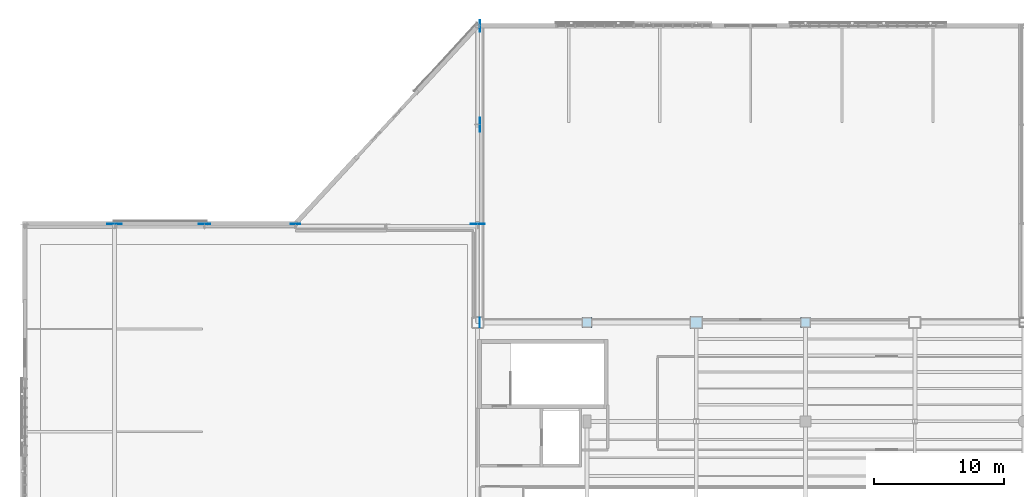
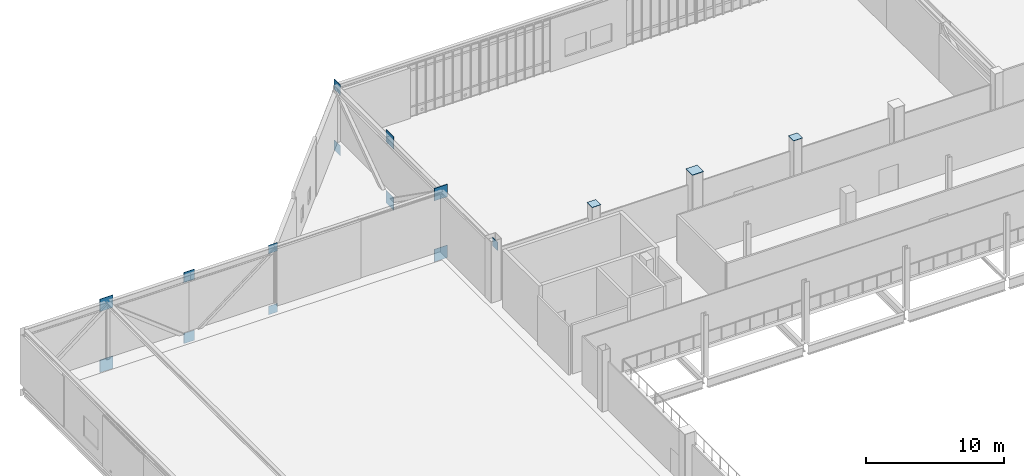
# One storey, part 80 of 135: 16 plates.
"""IFC4 building model written with IfcOpenShell, lengths in metres."""

import ifcopenshell
import ifcopenshell.guid

model = None  # the IFC model being written
_history = None  # IfcOwnerHistory: only IFC2X3 demands one
_inside = {}  # id of a spatial element -> (the spatial element, [elements in it])
_under = {}  # id of a project, library or spatial element -> (it, [spatial elements below it])
_declared = {}  # id of a project -> (the project, [libraries it declares])
_typed = {}  # id of a type object -> (the type object, [elements of that type])
_made_of = {}  # id of a material, layer set ... -> (it, [elements and type objects made of it])


def new_model(schema):
    """Start an empty IFC model of exactly this schema.

    Asked for "IFC4X3", IfcOpenShell would pick the latest addendum, in which some entities
    have other attributes; the version numbers below select the first issue.
    IFC2X3 requires an IfcOwnerHistory on every rooted entity: one is made here for all.
    """
    global model, _history
    if schema == "IFC4X3":
        model = ifcopenshell.file(schema_version=(4, 3, 0, 0))
    else:
        model = ifcopenshell.file(schema=schema)
    _inside.clear()
    _under.clear()
    _declared.clear()
    _typed.clear()
    _made_of.clear()
    _history = None
    if model.schema == "IFC2X3":
        org = make("IfcOrganization", Name="unknown")
        user = make(
            "IfcPersonAndOrganization",
            ThePerson=make("IfcPerson", FamilyName="unknown"),
            TheOrganization=org,
        )
        app = make(
            "IfcApplication",
            ApplicationDeveloper=org,
            Version="unknown",
            ApplicationFullName="unknown",
            ApplicationIdentifier="unknown",
        )
        _history = make(
            "IfcOwnerHistory",
            OwningUser=user,
            OwningApplication=app,
            ChangeAction="ADDED",
            CreationDate=0,
        )
    return model


def make(cls, **values):
    """One entity of the class cls with the attributes given. An attribute that is None is left unset."""
    return model.create_entity(
        cls, **{name: value for name, value in values.items() if value is not None}
    )


def rooted(cls, **values):
    """An entity with a GlobalId (a new one), such as an element, a storey or a relation."""
    return make(cls, GlobalId=ifcopenshell.guid.new(), OwnerHistory=_history, **values)


def si_unit(unit_type, name, prefix=None):
    """IfcSIUnit, for example si_unit("LENGTHUNIT", "METRE", prefix="MILLI")."""
    return make("IfcSIUnit", UnitType=unit_type, Prefix=prefix, Name=name)


def assignment(units):
    """IfcUnitAssignment: the units of a project."""
    return None if units is None else make("IfcUnitAssignment", Units=units)


def point(xyz):
    """IfcCartesianPoint."""
    return None if xyz is None else make("IfcCartesianPoint", Coordinates=xyz)


def direction(xyz):
    """IfcDirection."""
    return None if xyz is None else make("IfcDirection", DirectionRatios=xyz)


def frame(location, z_axis=None, x_axis=None):
    """IfcAxis2Placement3D, a coordinate frame: its origin and axes. An axis left out is left unset."""
    return make(
        "IfcAxis2Placement3D",
        Location=point(location),
        Axis=direction(z_axis),
        RefDirection=direction(x_axis),
    )


def frame_2d(location, x_axis=None):
    """IfcAxis2Placement2D, a coordinate frame in the plane: its origin and x axis."""
    return make(
        "IfcAxis2Placement2D", Location=point(location), RefDirection=direction(x_axis)
    )


def origin():
    """The frame at (0, 0, 0) with its axes left unset."""
    return frame((0.0, 0.0, 0.0))


def origin_2d():
    """The frame at (0, 0) in the plane with its x axis left unset."""
    return frame_2d((0.0, 0.0))


def place(relative_to, where):
    """IfcLocalPlacement: puts the frame where relative to a parent placement (None: the world)."""
    return make(
        "IfcLocalPlacement", PlacementRelTo=relative_to, RelativePlacement=where
    )


def context(
    kind, dimensions, precision=None, world=None, true_north=None, identifier=None
):
    """IfcGeometricRepresentationContext, for example the 3D "Model" context."""
    return make(
        "IfcGeometricRepresentationContext",
        ContextIdentifier=identifier,
        ContextType=kind,
        CoordinateSpaceDimension=dimensions,
        Precision=precision,
        WorldCoordinateSystem=world,
        TrueNorth=true_north,
    )


def subcontext(parent, identifier, kind, view, scale=None):
    """IfcGeometricRepresentationSubContext, for example "Body" below "Model"."""
    return make(
        "IfcGeometricRepresentationSubContext",
        ContextIdentifier=identifier,
        ContextType=kind,
        ParentContext=parent,
        TargetScale=scale,
        TargetView=view,
    )


def project(units=None, contexts=None):
    """IfcProject with its units and contexts."""
    return rooted(
        "IfcProject",
        Name="project",
        RepresentationContexts=contexts,
        UnitsInContext=assignment(units),
    )


def spatial(cls, under=None, at=None, **own):
    """A site, building, storey or space (cls), placed at a placement, below another one or the project."""
    s = rooted(cls, ObjectPlacement=at, **own)
    if under is not None:
        _under.setdefault(under.id(), (under, []))[1].append(s)
    return s


def profile(cls, at=None, kind="AREA", **sizes):
    """A parametric profile (cls). Its sizes go by their IFC names, for example OverallWidth=200.0."""
    return make(cls, ProfileType=kind, Position=at, **sizes)


def rectangle(**sizes):
    """IfcRectangleProfileDef."""
    return profile("IfcRectangleProfileDef", **sizes)


def extrude(swept, where, along, depth):
    """IfcExtrudedAreaSolid: the profile swept, set in the frame where, extruded along a direction by depth."""
    return make(
        "IfcExtrudedAreaSolid",
        SweptArea=swept,
        Position=where,
        ExtrudedDirection=direction(along),
        Depth=depth,
    )


def shape(context_of_items, identifier, shape_type, items):
    """IfcShapeRepresentation: the items that make up one representation, for example the "Body"."""
    return make(
        "IfcShapeRepresentation",
        ContextOfItems=context_of_items,
        RepresentationIdentifier=identifier,
        RepresentationType=shape_type,
        Items=items,
    )


def material(Name=None, Category=None):
    """IfcMaterial."""
    return make("IfcMaterial", Name=Name, Category=Category)


def layer(
    of_material, thickness, ventilated=None, Name=None, Category=None, Priority=None
):
    """IfcMaterialLayer: one layer of a wall or slab, of a material (None: an air gap)."""
    return make(
        "IfcMaterialLayer",
        Material=of_material,
        LayerThickness=thickness,
        IsVentilated=ventilated,
        Name=Name,
        Category=Category,
        Priority=Priority,
    )


def layer_set(layers, Name=None):
    """IfcMaterialLayerSet."""
    return make("IfcMaterialLayerSet", MaterialLayers=layers, LayerSetName=Name)


def made_of(thing, what):
    """Note that an element or type object is made of a material, layer set ...; save() writes the relation."""
    if what is not None:
        _made_of.setdefault(what.id(), (what, []))[1].append(thing)
    return thing


def type_object(cls, material=None, **own):
    """A type object (cls), such as IfcWallType, which elements share."""
    return made_of(rooted(cls, **own), material)


def element(
    cls,
    number,
    at=None,
    inside=None,
    cuts=None,
    type_object=None,
    material=None,
    context=None,
    identifier="Body",
    shape_type=None,
    held_by="IfcProductDefinitionShape",
    body=None,
    shapes=None,
    **own,
):
    """One element of the class cls, such as IfcWall. Its Tag is "e" and its number.

    at: its placement. inside: the storey or other place that contains it. cuts: it is an
    opening in that element (IfcRelVoidsElement). A single representation is given by context,
    identifier, shape_type and body (its items); several are given by shapes. held_by: the class
    of the entity that holds the representations. save() writes the other relations.
    """
    e = rooted(cls, Tag="e%d" % number, ObjectPlacement=at, **own)
    if body is not None:
        shapes = [shape(context, identifier, shape_type, body)]
    if shapes is not None:
        e.Representation = make(held_by, Representations=shapes)
    if inside is not None:
        _inside.setdefault(inside.id(), (inside, []))[1].append(e)
    if cuts is not None:
        rooted(
            "IfcRelVoidsElement", RelatingBuildingElement=cuts, RelatedOpeningElement=e
        )
    if type_object is not None:
        _typed.setdefault(type_object.id(), (type_object, []))[1].append(e)
    return made_of(e, material)


def aggregate(whole, parts):
    """IfcRelAggregates: a whole, such as a stair, and the parts it consists of."""
    return rooted("IfcRelAggregates", RelatingObject=whole, RelatedObjects=parts)


def save(model, path):
    """Write the relations noted so far, then the file.

    IfcRelAggregates (storeys below a building ...), IfcRelContainedInSpatialStructure (elements
    in a storey), IfcRelDefinesByType, IfcRelAssociatesMaterial and IfcRelDeclares: one each for
    every whole, place, type object, material and project.
    """
    for whole, parts in _under.values():
        aggregate(whole, parts)
    for where, things in _inside.values():
        rooted(
            "IfcRelContainedInSpatialStructure",
            RelatedElements=things,
            RelatingStructure=where,
        )
    for kind, things in _typed.values():
        rooted("IfcRelDefinesByType", RelatedObjects=things, RelatingType=kind)
    for what, things in _made_of.values():
        rooted("IfcRelAssociatesMaterial", RelatedObjects=things, RelatingMaterial=what)
    for by, libraries in _declared.values():
        rooted("IfcRelDeclares", RelatingContext=by, RelatedDefinitions=libraries)
    model.write(path)


model = new_model("IFC4")

# Units and contexts
model_context = context("Model", 3, precision=1e-05, world=origin(), true_north=direction((0.0, 1.0)))
body_context = subcontext(model_context, "Body", "Model", "MODEL_VIEW")
ifc_project = project(units=[si_unit("LENGTHUNIT", "METRE"), si_unit("AREAUNIT", "SQUARE_METRE"), si_unit("VOLUMEUNIT", "CUBIC_METRE"), si_unit("PLANEANGLEUNIT", "RADIAN"), si_unit("MASSUNIT", "GRAM", prefix="KILO")], contexts=[model_context])

# Site, building, storey
site_placement = place(None, origin())
site = spatial("IfcSite", under=ifc_project, at=site_placement, CompositionType="ELEMENT")
building_placement = place(site_placement, origin())
building = spatial("IfcBuilding", under=site, at=building_placement, Name="Larkvane Passage Sports Hall", CompositionType="ELEMENT")
storey_placement = place(building_placement, frame((0.0, 0.0, 16.800048828125)))
storey = spatial("IfcBuildingStorey", under=building, at=storey_placement, Name="L03", CompositionType="ELEMENT", Elevation=16.800048828125)

# Plates
ifc_material = material(Name="Steel S460N", Category="steel")
ifc_layer_1 = layer(ifc_material, 0.028076171875)
ifc_layer_set_1 = layer_set([ifc_layer_1], Name="Steel S460N")
plate_type_1 = type_object("IfcPlateType", Name="PLT-CAP-28", PredefinedType="SHEET", material=ifc_layer_set_1)
for number, where, z_axis, x_axis, name in (
    (1, (43.199951171875, 91.60009765625, 5.39990234375), (0.0, 0.0, 1.0), (1.0, 0.0, 0.0), "Hollow section sealed end cap plate 0007"),
    (2, (60.0, 91.60009765625, 5.39990234375), (0.0, 0.0, 1.0), (1.0, 0.0, 0.0), "Hollow section sealed end cap plate 0011"),
):
    element("IfcPlate", number, at=place(storey_placement, frame(where, z_axis=z_axis, x_axis=x_axis)), inside=storey, type_object=plate_type_1, Name=name, PredefinedType="SHEET", context=body_context, shape_type="SweptSolid", body=[
        extrude(rectangle(XDim=0.739990234375, YDim=0.739990234375, at=origin_2d()), origin(), (0.0, 0.0, 1.0), 0.028076171875),
    ])
ifc_layer_2 = layer(ifc_material, 0.035888671875)
ifc_layer_set_2 = layer_set([ifc_layer_2], Name="Steel S460N")
plate_type_2 = type_object("IfcPlateType", Name="PLT-CAP-36", PredefinedType="SHEET", material=ifc_layer_set_2)
plate_placement = place(storey_placement, frame((51.60009765625, 91.60009765625, 5.39990234375), z_axis=(0.0, 0.0, 1.0), x_axis=(1.0, 0.0, 0.0)))
element("IfcPlate", 3, at=plate_placement, inside=storey, type_object=plate_type_2, Name="Hollow section sealed end cap plate 0010", PredefinedType="SHEET", context=body_context, shape_type="SweptSolid", body=[
    extrude(rectangle(XDim=0.93994140625, YDim=0.93994140625, at=origin_2d()), origin(), (0.0, 0.0, 1.0), 0.035888671875),
])
ifc_layer_3 = layer(ifc_material, 0.02392578125)
ifc_layer_set_3 = layer_set([ifc_layer_3], Name="Steel S460N")
plate_type_3 = type_object("IfcPlateType", Name="PLT-GUS-24", PredefinedType="USERDEFINED", material=ifc_layer_set_3)
for number, where, z_axis, x_axis, name in (
    (4, (20.800048828125, 99.162109375, -0.989013671875), (0.0, 0.0, 1.0), (1.0, 0.0, 0.0), "Truss node gusset plate ND-4B (CT-W3A-2)"),
    (5, (20.800048828125, 99.162109375, 4.380859375), (0.0, 0.0, 1.0), (1.0, 0.0, 0.0), "Truss node gusset plate ND-4T (CT-W3A-2)"),
    (6, (34.9619140625, 91.60009765625, 4.380859375), (0.0, 0.0, 1.0), (0.0, 1.0, 0.0), "Truss node gusset plate ND-1T (CT-N3A-1)"),
):
    element("IfcPlate", number, at=place(storey_placement, frame(where, z_axis=z_axis, x_axis=x_axis)), inside=storey, type_object=plate_type_3, Name=name, ObjectType="GUSSET PLATE", PredefinedType="USERDEFINED", context=body_context, shape_type="SweptSolid", body=[
        extrude(rectangle(XDim=0.75, YDim=0.02392578125, at=origin_2d()), origin(), (0.0, 0.0, 1.0), 0.75),
    ])
ifc_layer_4 = layer(ifc_material, 0.031982421875)
ifc_layer_set_4 = layer_set([ifc_layer_4], Name="Steel S460N")
plate_type_4 = type_object("IfcPlateType", Name="PLT-GUS-32", PredefinedType="USERDEFINED", material=ifc_layer_set_4)
for number, where, z_axis, x_axis, name in (
    (7, (13.800048828125, 99.166015625, -1.06396484375), (0.0, 0.0, 1.0), (1.0, 0.0, 0.0), "Truss node gusset plate ND-3B (CT-W3A-2)"),
    (8, (13.800048828125, 99.166015625, 4.305908203125), (0.0, 0.0, 1.0), (1.0, 0.0, 0.0), "Truss node gusset plate ND-3T (CT-W3A-2)"),
    (9, (34.966064453125, 114.39990234375, -1.06396484375), (0.0, 0.0, 1.0), (0.0, 1.0, 0.0), "Truss node gusset plate ND-4B (CT-N3A-1)"),
    (10, (34.966064453125, 114.39990234375, 4.305908203125), (0.0, 0.0, 1.0), (0.0, 1.0, 0.0), "Truss node gusset plate ND-4T (CT-N3A-1)"),
):
    element("IfcPlate", number, at=place(storey_placement, frame(where, z_axis=z_axis, x_axis=x_axis)), inside=storey, type_object=plate_type_4, Name=name, ObjectType="GUSSET PLATE", PredefinedType="USERDEFINED", context=body_context, shape_type="SweptSolid", body=[
        extrude(rectangle(XDim=0.89990234375, YDim=0.031982421875, at=origin_2d()), origin(), (0.0, 0.0, 1.0), 0.89990234375),
    ])
ifc_layer_5 = layer(ifc_material, 0.0400390625)
ifc_layer_set_5 = layer_set([ifc_layer_5], Name="Steel S460N")
plate_type_5 = type_object("IfcPlateType", Name="PLT-GUS-40", PredefinedType="USERDEFINED", material=ifc_layer_set_5)
for number, where, z_axis, x_axis, name in (
    (11, (6.89990234375, 99.169921875, -1.1640625), (0.0, 0.0, 1.0), (1.0, 0.0, 0.0), "Truss node gusset plate ND-2B (CT-W3A-2)"),
    (12, (6.89990234375, 99.169921875, 4.205810546875), (0.0, 0.0, 1.0), (1.0, 0.0, 0.0), "Truss node gusset plate ND-2T (CT-W3A-2)"),
    (13, (34.800048828125, 99.169921875, -1.1640625), (0.0, 0.0, 1.0), (1.0, 0.0, 0.0), "Truss node gusset plate ND-6B (CT-W3A-2)"),
    (14, (34.800048828125, 99.169921875, 4.205810546875), (0.0, 0.0, 1.0), (1.0, 0.0, 0.0), "Truss node gusset plate ND-6T (CT-W3A-2)"),
    (15, (34.969970703125, 106.800048828125, -1.1640625), (0.0, 0.0, 1.0), (0.0, 1.0, 0.0), "Truss node gusset plate ND-3B (CT-N3A-1)"),
    (16, (34.969970703125, 106.800048828125, 4.205810546875), (0.0, 0.0, 1.0), (0.0, 1.0, 0.0), "Truss node gusset plate ND-3T (CT-N3A-1)"),
):
    element("IfcPlate", number, at=place(storey_placement, frame(where, z_axis=z_axis, x_axis=x_axis)), inside=storey, type_object=plate_type_5, Name=name, ObjectType="GUSSET PLATE", PredefinedType="USERDEFINED", context=body_context, shape_type="SweptSolid", body=[
        extrude(rectangle(XDim=1.10009765625, YDim=0.0400390625, at=origin_2d()), origin(), (0.0, 0.0, 1.0), 1.10009765625),
    ])

save(model, "model.ifc")
